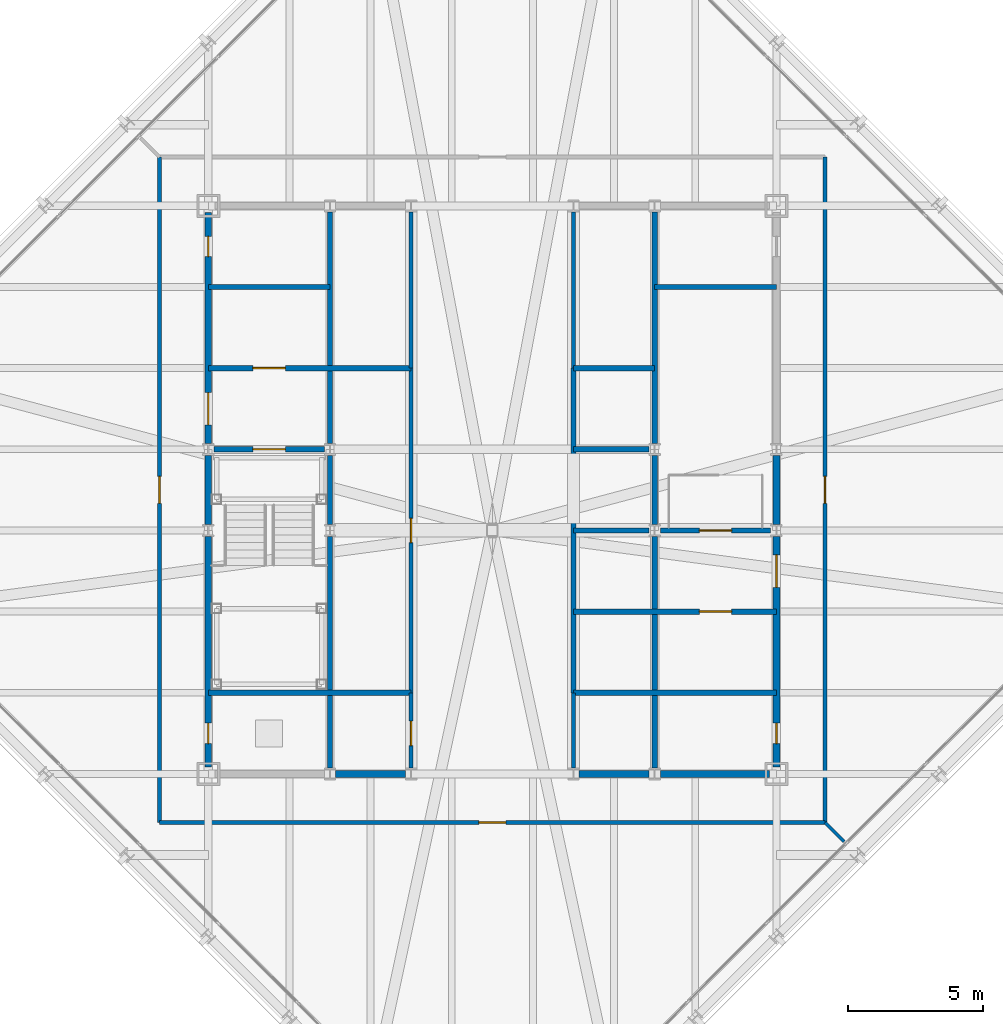
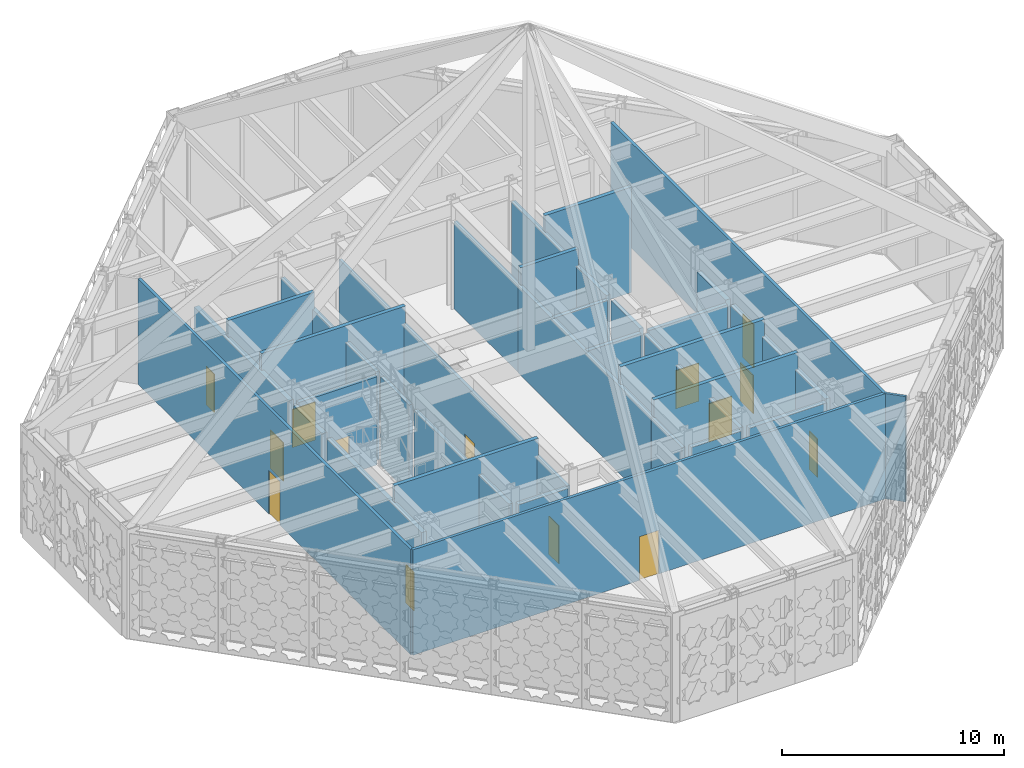
# One storey, part 14 of 30: 35 walls, 14 doors, 14 openings.
"""IFC4 building model written with IfcOpenShell, lengths in metres."""

from ifc_helpers import new_model, si_unit, direction, frame, frame_2d, origin, place, context, subcontext, project, spatial, rectangle, extrude, material, layer, layer_set, type_object, element, fill, save


model = new_model("IFC4")

# Units and contexts
model_context = context("Model", 3, precision=1e-05, world=origin(), true_north=direction((0.0, 1.0)))
body_context = subcontext(model_context, "Body", "Model", "MODEL_VIEW")
ifc_project = project(units=[si_unit("LENGTHUNIT", "METRE"), si_unit("AREAUNIT", "SQUARE_METRE"), si_unit("VOLUMEUNIT", "CUBIC_METRE"), si_unit("PLANEANGLEUNIT", "RADIAN"), si_unit("MASSUNIT", "GRAM", prefix="KILO")], contexts=[model_context])

# Site, building, storey
site_placement = place(None, origin())
site = spatial("IfcSite", under=ifc_project, at=site_placement, CompositionType="ELEMENT")
building_placement = place(site_placement, origin())
building = spatial("IfcBuilding", under=site, at=building_placement, Name="Chuquiago Exchange Tower", CompositionType="ELEMENT")
storey_placement = place(building_placement, frame((0.0, 0.0, 306.0)))
storey = spatial("IfcBuildingStorey", under=building, at=storey_placement, Name="L68", CompositionType="ELEMENT", Elevation=306.0)

# Wall, opening, door
ifc_material_1 = material(Name="Concrete masonry, fully grouted", Category="masonry")
ifc_layer_1 = layer(ifc_material_1, 0.25)
ifc_layer_set_1 = layer_set([ifc_layer_1], Name="W1 core wall 250")
wall_type_1 = type_object("IfcWallType", Name="W1 core wall 250", PredefinedType="SOLIDWALL", material=ifc_layer_set_1)
wall_1_placement = place(storey_placement, frame((12.0, 12.25, 0.0), z_axis=(0.0, 0.0, 1.0), x_axis=(0.0, 1.0, 0.0)))
wall_1 = element("IfcWall", 1, at=wall_1_placement, inside=storey, type_object=wall_type_1, Name="CW-L68-00-0", PredefinedType="SOLIDWALL", context=body_context, shape_type="SweptSolid", body=[
    extrude(rectangle(XDim=8.527587890625, YDim=0.25, at=frame_2d((4.263671875, 0.0))), origin(), (0.0, 0.0, 1.0), 4.872802734375),
])
opening_1_placement = place(wall_1_placement, frame((0.875, 0.0, 0.0)))
opening_1 = element("IfcOpeningElement", 2, at=opening_1_placement, cuts=wall_1, Name="Opening L68-007", PredefinedType="OPENING", context=body_context, shape_type="SweptSolid", body=[
    extrude(rectangle(XDim=0.75, YDim=2.10009765625, at=frame_2d((0.375, 1.050048828125))), frame((0.0, 0.135009765625, 0.0), z_axis=(0.0, -1.0, 0.0), x_axis=(1.0, 0.0, 0.0)), (0.0, 0.0, 1.0), 0.27001953125),
])
ifc_material_2 = material(Name="Steel door, painted", Category="steel")
door_type_1 = type_object("IfcDoorType", Name="D6 riser access door 750x2100", OperationType="SINGLE_SWING_LEFT", PredefinedType="DOOR", material=ifc_material_2)
door_1_placement = place(opening_1_placement, frame((0.75, 0.0, 0.0), z_axis=(0.0, 0.0, 1.0), x_axis=(-1.0, 0.0, 0.0)))
door_1 = element("IfcDoor", 3, at=door_1_placement, inside=storey, type_object=door_type_1, Name="Riser RW1 door", OperationType="SINGLE_SWING_RIGHT", OverallHeight=2.10009765625, OverallWidth=0.75, PredefinedType="DOOR", context=body_context, shape_type="SweptSolid", body=[
    extrude(rectangle(XDim=0.75, YDim=2.10009765625, at=frame_2d((0.375, 1.050048828125))), frame((0.0, 0.02490234375, 0.0), z_axis=(0.0, -1.0, 0.0), x_axis=(1.0, 0.0, 0.0)), (0.0, 0.0, 1.0), 0.050048828125),
])
fill(opening_1, door_1)

# Wall
wall_2_placement = place(storey_placement, frame((12.0, 21.222412109375, 0.0), z_axis=(0.0, 0.0, 1.0), x_axis=(0.0, 1.0, 0.0)))
element("IfcWall", 4, at=wall_2_placement, inside=storey, type_object=wall_type_1, Name="CW-L68-00-1", PredefinedType="SOLIDWALL", context=body_context, shape_type="SweptSolid", body=[
    extrude(rectangle(XDim=2.55517578125, YDim=0.25, at=frame_2d((1.277587890625, 0.0))), origin(), (0.0, 0.0, 1.0), 4.872802734375),
])

# Wall, openings, doors
wall_3_placement = place(storey_placement, frame((12.0, 24.222412109375, 0.0), z_axis=(0.0, 0.0, 1.0), x_axis=(0.0, 1.0, 0.0)))
wall_3 = element("IfcWall", 5, at=wall_3_placement, inside=storey, type_object=wall_type_1, Name="CW-L68-00-2", PredefinedType="SOLIDWALL", context=body_context, shape_type="SweptSolid", body=[
    extrude(rectangle(XDim=8.527587890625, YDim=0.25, at=frame_2d((4.263671875, 0.0))), origin(), (0.0, 0.0, 1.0), 4.872802734375),
])
opening_2_placement = place(wall_3_placement, frame((0.677734375, 0.0, 0.0)))
opening_2 = element("IfcOpeningElement", 6, at=opening_2_placement, cuts=wall_3, Name="Opening L68-002", PredefinedType="OPENING", context=body_context, shape_type="SweptSolid", body=[
    extrude(rectangle(XDim=1.199951171875, YDim=2.10009765625, at=frame_2d((0.60009765625, 1.050048828125))), frame((0.0, 0.135009765625, 0.0), z_axis=(0.0, -1.0, 0.0), x_axis=(1.0, 0.0, 0.0)), (0.0, 0.0, 1.0), 0.27001953125),
])
opening_3_placement = place(wall_3_placement, frame((6.902587890625, 0.0, 0.0)))
opening_3 = element("IfcOpeningElement", 7, at=opening_3_placement, cuts=wall_3, Name="Opening L68-008", PredefinedType="OPENING", context=body_context, shape_type="SweptSolid", body=[
    extrude(rectangle(XDim=0.75, YDim=2.10009765625, at=frame_2d((0.375, 1.050048828125))), frame((0.0, 0.135009765625, 0.0), z_axis=(0.0, -1.0, 0.0), x_axis=(1.0, 0.0, 0.0)), (0.0, 0.0, 1.0), 0.27001953125),
])
ifc_material_3 = material(Name="Steel door, painted", Category="steel")
door_type_2 = type_object("IfcDoorType", Name="D5 firefighting lobby door 1200x2100", OperationType="SINGLE_SWING_LEFT", PredefinedType="DOOR", material=ifc_material_3)
door_2_placement = place(opening_2_placement, frame((1.199951171875, 0.0, 0.0), z_axis=(0.0, 0.0, 1.0), x_axis=(-1.0, 0.0, 0.0)))
door_2 = element("IfcDoor", 8, at=door_2_placement, inside=storey, type_object=door_type_2, Name="Firefighting lobby 1 door", OperationType="SINGLE_SWING_RIGHT", OverallHeight=2.10009765625, OverallWidth=1.199951171875, PredefinedType="DOOR", context=body_context, shape_type="SweptSolid", body=[
    extrude(rectangle(XDim=1.199951171875, YDim=2.10009765625, at=frame_2d((0.60009765625, 1.050048828125))), frame((0.0, 0.02490234375, 0.0), z_axis=(0.0, -1.0, 0.0), x_axis=(1.0, 0.0, 0.0)), (0.0, 0.0, 1.0), 0.050048828125),
])
fill(opening_2, door_2)
door_3_placement = place(opening_3_placement, frame((0.75, 0.0, 0.0), z_axis=(0.0, 0.0, 1.0), x_axis=(-1.0, 0.0, 0.0)))
door_3 = element("IfcDoor", 9, at=door_3_placement, inside=storey, type_object=door_type_1, Name="Riser RW2 door", OperationType="SINGLE_SWING_LEFT", OverallHeight=2.10009765625, OverallWidth=0.75, PredefinedType="DOOR", context=body_context, shape_type="SweptSolid", body=[
    extrude(rectangle(XDim=0.75, YDim=2.10009765625, at=frame_2d((0.375, 1.050048828125))), frame((0.0, 0.02490234375, 0.0), z_axis=(0.0, -1.0, 0.0), x_axis=(1.0, 0.0, 0.0)), (0.0, 0.0, 1.0), 0.050048828125),
])
fill(opening_3, door_3)

# Walls
for number, where, z_axis, x_axis, name in (
    (10, (16.708251953125, 12.0, 0.0), (0.0, 0.0, 1.0), (1.0, 0.0, 0.0), "CW-L68-01-1"),
    (11, (25.708251953125, 12.0, 0.0), (0.0, 0.0, 1.0), (1.0, 0.0, 0.0), "CW-L68-02-0"),
):
    element("IfcWall", number, at=place(storey_placement, frame(where, z_axis=z_axis, x_axis=x_axis)), inside=storey, type_object=wall_type_1, Name=name, PredefinedType="SOLIDWALL", context=body_context, shape_type="SweptSolid", body=[
        extrude(rectangle(XDim=2.58349609375, YDim=0.25, at=frame_2d((1.291748046875, 0.0))), origin(), (0.0, 0.0, 1.0), 4.94140625),
    ])
wall_4_placement = place(storey_placement, frame((28.708251953125, 12.0, 0.0), z_axis=(0.0, 0.0, 1.0), x_axis=(1.0, 0.0, 0.0)))
element("IfcWall", 12, at=wall_4_placement, inside=storey, type_object=wall_type_1, Name="CW-L68-02-1", PredefinedType="SOLIDWALL", context=body_context, shape_type="SweptSolid", body=[
    extrude(rectangle(XDim=4.041748046875, YDim=0.25, at=frame_2d((2.02099609375, 0.0))), origin(), (0.0, 0.0, 1.0), 4.94140625),
])

# Wall, openings, doors
wall_5_placement = place(storey_placement, frame((33.0, 12.25, 0.0), z_axis=(0.0, 0.0, 1.0), x_axis=(0.0, 1.0, 0.0)))
wall_5 = element("IfcWall", 13, at=wall_5_placement, inside=storey, type_object=wall_type_1, Name="CW-L68-25-0", PredefinedType="SOLIDWALL", context=body_context, shape_type="SweptSolid", body=[
    extrude(rectangle(XDim=8.527587890625, YDim=0.25, at=frame_2d((4.263671875, 0.0))), origin(), (0.0, 0.0, 1.0), 4.872802734375),
])
opening_4_placement = place(wall_5_placement, frame((6.64990234375, 0.0, 0.0)))
opening_4 = element("IfcOpeningElement", 14, at=opening_4_placement, cuts=wall_5, Name="Opening L68-004", PredefinedType="OPENING", context=body_context, shape_type="SweptSolid", body=[
    extrude(rectangle(XDim=1.199951171875, YDim=2.10009765625, at=frame_2d((0.60009765625, 1.050048828125))), frame((0.0, 0.135009765625, 0.0), z_axis=(0.0, -1.0, 0.0), x_axis=(1.0, 0.0, 0.0)), (0.0, 0.0, 1.0), 0.27001953125),
])
opening_5_placement = place(wall_5_placement, frame((0.875, 0.0, 0.0)))
opening_5 = element("IfcOpeningElement", 15, at=opening_5_placement, cuts=wall_5, Name="Opening L68-009", PredefinedType="OPENING", context=body_context, shape_type="SweptSolid", body=[
    extrude(rectangle(XDim=0.75, YDim=2.10009765625, at=frame_2d((0.375, 1.050048828125))), frame((0.0, 0.135009765625, 0.0), z_axis=(0.0, -1.0, 0.0), x_axis=(1.0, 0.0, 0.0)), (0.0, 0.0, 1.0), 0.27001953125),
])
door_4_placement = place(opening_4_placement, origin())
door_4 = element("IfcDoor", 16, at=door_4_placement, inside=storey, type_object=door_type_2, Name="Firefighting lobby 2 door", OperationType="SINGLE_SWING_RIGHT", OverallHeight=2.10009765625, OverallWidth=1.199951171875, PredefinedType="DOOR", context=body_context, shape_type="SweptSolid", body=[
    extrude(rectangle(XDim=1.199951171875, YDim=2.10009765625, at=frame_2d((0.60009765625, 1.050048828125))), frame((0.0, 0.02490234375, 0.0), z_axis=(0.0, -1.0, 0.0), x_axis=(1.0, 0.0, 0.0)), (0.0, 0.0, 1.0), 0.050048828125),
])
fill(opening_4, door_4)
door_5_placement = place(opening_5_placement, origin())
door_5 = element("IfcDoor", 17, at=door_5_placement, inside=storey, type_object=door_type_1, Name="Riser RE1 door", OperationType="SINGLE_SWING_LEFT", OverallHeight=2.10009765625, OverallWidth=0.75, PredefinedType="DOOR", context=body_context, shape_type="SweptSolid", body=[
    extrude(rectangle(XDim=0.75, YDim=2.10009765625, at=frame_2d((0.375, 1.050048828125))), frame((0.0, 0.02490234375, 0.0), z_axis=(0.0, -1.0, 0.0), x_axis=(1.0, 0.0, 0.0)), (0.0, 0.0, 1.0), 0.050048828125),
])
fill(opening_5, door_5)

# Wall
wall_6_placement = place(storey_placement, frame((33.0, 21.222412109375, 0.0), z_axis=(0.0, 0.0, 1.0), x_axis=(0.0, 1.0, 0.0)))
element("IfcWall", 18, at=wall_6_placement, inside=storey, type_object=wall_type_1, Name="CW-L68-25-1", PredefinedType="SOLIDWALL", context=body_context, shape_type="SweptSolid", body=[
    extrude(rectangle(XDim=2.55517578125, YDim=0.25, at=frame_2d((1.277587890625, 0.0))), origin(), (0.0, 0.0, 1.0), 4.872802734375),
])

# Wall, opening, door
ifc_material_4 = material(Name="Gypsum board on steel studs, acoustic insulation", Category="steel")
ifc_layer_2 = layer(ifc_material_4, 0.14990234375)
ifc_layer_set_2 = layer_set([ifc_layer_2], Name="W11 corridor wall 150")
wall_type_2 = type_object("IfcWallType", Name="W11 corridor wall 150", PredefinedType="PARTITIONING", material=ifc_layer_set_2)
wall_7_placement = place(storey_placement, frame((10.199951171875, 10.199951171875, 0.0), z_axis=(0.0, 0.0, 1.0), x_axis=(1.0, 0.0, 0.0)))
wall_7 = element("IfcWall", 19, at=wall_7_placement, inside=storey, type_object=wall_type_2, Name="PW-L68-PCS", PredefinedType="PARTITIONING", context=body_context, shape_type="SweptSolid", body=[
    extrude(rectangle(XDim=24.60009765625, YDim=0.14990234375, at=frame_2d((12.300048828125, 0.0))), origin(), (0.0, 0.0, 1.0), 5.800048828125),
])
opening_6_placement = place(wall_7_placement, frame((11.800048828125, 0.0, 0.0)))
opening_6 = element("IfcOpeningElement", 20, at=opening_6_placement, cuts=wall_7, Name="Opening L68-013", PredefinedType="OPENING", context=body_context, shape_type="SweptSolid", body=[
    extrude(rectangle(XDim=1.0, YDim=2.39990234375, at=frame_2d((0.5, 1.199951171875))), frame((0.0, 0.0849609375, 0.0), z_axis=(0.0, -1.0, 0.0), x_axis=(1.0, 0.0, 0.0)), (0.0, 0.0, 1.0), 0.169921875),
])
ifc_material_5 = material(Name="Timber door, laminate faced", Category="wood")
door_type_3 = type_object("IfcDoorType", Name="D9 room door 1000x2400", OperationType="SINGLE_SWING_LEFT", PredefinedType="DOOR", material=ifc_material_5)
door_6_placement = place(opening_6_placement, frame((1.0, 0.0, 0.0), z_axis=(0.0, 0.0, 1.0), x_axis=(-1.0, 0.0, 0.0)))
door_6 = element("IfcDoor", 21, at=door_6_placement, inside=storey, type_object=door_type_3, Name="Plant corridor south door", OperationType="SINGLE_SWING_LEFT", OverallHeight=2.39990234375, OverallWidth=1.0, PredefinedType="DOOR", context=body_context, shape_type="SweptSolid", body=[
    extrude(rectangle(XDim=1.0, YDim=2.39990234375, at=frame_2d((0.5, 1.199951171875))), frame((0.0, 0.02490234375, 0.0), z_axis=(0.0, -1.0, 0.0), x_axis=(1.0, 0.0, 0.0)), (0.0, 0.0, 1.0), 0.050048828125),
])
fill(opening_6, door_6)

wall_8_placement = place(storey_placement, frame((10.199951171875, 10.199951171875, 0.0), z_axis=(0.0, 0.0, 1.0), x_axis=(0.0, 1.0, 0.0)))
wall_8 = element("IfcWall", 22, at=wall_8_placement, inside=storey, type_object=wall_type_2, Name="PW-L68-PCW", PredefinedType="PARTITIONING", context=body_context, shape_type="SweptSolid", body=[
    extrude(rectangle(XDim=24.60009765625, YDim=0.14990234375, at=frame_2d((12.300048828125, 0.0))), origin(), (0.0, 0.0, 1.0), 5.800048828125),
])
opening_7_placement = place(wall_8_placement, frame((11.800048828125, 0.0, 0.0)))
opening_7 = element("IfcOpeningElement", 23, at=opening_7_placement, cuts=wall_8, Name="Opening L68-015", PredefinedType="OPENING", context=body_context, shape_type="SweptSolid", body=[
    extrude(rectangle(XDim=1.0, YDim=2.39990234375, at=frame_2d((0.5, 1.199951171875))), frame((0.0, 0.0849609375, 0.0), z_axis=(0.0, -1.0, 0.0), x_axis=(1.0, 0.0, 0.0)), (0.0, 0.0, 1.0), 0.169921875),
])
door_7_placement = place(opening_7_placement, origin())
door_7 = element("IfcDoor", 24, at=door_7_placement, inside=storey, type_object=door_type_3, Name="Plant corridor west door", OperationType="SINGLE_SWING_RIGHT", OverallHeight=2.39990234375, OverallWidth=1.0, PredefinedType="DOOR", context=body_context, shape_type="SweptSolid", body=[
    extrude(rectangle(XDim=1.0, YDim=2.39990234375, at=frame_2d((0.5, 1.199951171875))), frame((0.0, 0.02490234375, 0.0), z_axis=(0.0, -1.0, 0.0), x_axis=(1.0, 0.0, 0.0)), (0.0, 0.0, 1.0), 0.050048828125),
])
fill(opening_7, door_7)

wall_9_placement = place(storey_placement, frame((34.800048828125, 10.199951171875, 0.0), z_axis=(0.0, 0.0, 1.0), x_axis=(0.0, 1.0, 0.0)))
wall_9 = element("IfcWall", 25, at=wall_9_placement, inside=storey, type_object=wall_type_2, Name="PW-L68-PCE", PredefinedType="PARTITIONING", context=body_context, shape_type="SweptSolid", body=[
    extrude(rectangle(XDim=24.60009765625, YDim=0.14990234375, at=frame_2d((12.300048828125, 0.0))), origin(), (0.0, 0.0, 1.0), 5.800048828125),
])
opening_8_placement = place(wall_9_placement, frame((11.800048828125, 0.0, 0.0)))
opening_8 = element("IfcOpeningElement", 26, at=opening_8_placement, cuts=wall_9, Name="Opening L68-016", PredefinedType="OPENING", context=body_context, shape_type="SweptSolid", body=[
    extrude(rectangle(XDim=1.0, YDim=2.39990234375, at=frame_2d((0.5, 1.199951171875))), frame((0.0, 0.0849609375, 0.0), z_axis=(0.0, -1.0, 0.0), x_axis=(1.0, 0.0, 0.0)), (0.0, 0.0, 1.0), 0.169921875),
])
door_8_placement = place(opening_8_placement, frame((1.0, 0.0, 0.0), z_axis=(0.0, 0.0, 1.0), x_axis=(-1.0, 0.0, 0.0)))
door_8 = element("IfcDoor", 27, at=door_8_placement, inside=storey, type_object=door_type_3, Name="Plant corridor east door", OperationType="SINGLE_SWING_LEFT", OverallHeight=2.39990234375, OverallWidth=1.0, PredefinedType="DOOR", context=body_context, shape_type="SweptSolid", body=[
    extrude(rectangle(XDim=1.0, YDim=2.39990234375, at=frame_2d((0.5, 1.199951171875))), frame((0.0, 0.02490234375, 0.0), z_axis=(0.0, -1.0, 0.0), x_axis=(1.0, 0.0, 0.0)), (0.0, 0.0, 1.0), 0.050048828125),
])
fill(opening_8, door_8)

# Walls
ifc_material_6 = material(Name="Concrete masonry, fully grouted", Category="masonry")
ifc_layer_3 = layer(ifc_material_6, 0.199951171875)
ifc_layer_set_3 = layer_set([ifc_layer_3], Name="W2 shaft wall 200")
wall_type_3 = type_object("IfcWallType", Name="W2 shaft wall 200", PredefinedType="SOLIDWALL", material=ifc_layer_set_3)
for number, where, z_axis, x_axis, name in (
    (28, (12.0, 15.0, 0.0), (0.0, 0.0, 1.0), (1.0, 0.0, 0.0), "CW-L68-03-0"),
    (29, (25.5, 15.0, 0.0), (0.0, 0.0, 1.0), (1.0, 0.0, 0.0), "CW-L68-04-0"),
):
    element("IfcWall", number, at=place(storey_placement, frame(where, z_axis=z_axis, x_axis=x_axis)), inside=storey, type_object=wall_type_3, Name=name, PredefinedType="SOLIDWALL", context=body_context, shape_type="SweptSolid", body=[
        extrude(rectangle(XDim=7.5, YDim=0.199951171875, at=frame_2d((3.75, 0.0))), origin(), (0.0, 0.0, 1.0), 5.800048828125),
    ])

# Wall, opening, door
wall_10_placement = place(storey_placement, frame((12.208251953125, 24.0, 0.0), z_axis=(0.0, 0.0, 1.0), x_axis=(1.0, 0.0, 0.0)))
wall_10 = element("IfcWall", 30, at=wall_10_placement, inside=storey, type_object=wall_type_3, Name="CW-L68-05-0", PredefinedType="SOLIDWALL", context=body_context, shape_type="SweptSolid", body=[
    extrude(rectangle(XDim=4.08349609375, YDim=0.199951171875, at=frame_2d((2.041748046875, 0.0))), origin(), (0.0, 0.0, 1.0), 4.85009765625),
])
opening_9_placement = place(wall_10_placement, frame((1.441650390625, 0.0, 0.0)))
opening_9 = element("IfcOpeningElement", 31, at=opening_9_placement, cuts=wall_10, Name="Opening L68-001", PredefinedType="OPENING", context=body_context, shape_type="SweptSolid", body=[
    extrude(rectangle(XDim=1.199951171875, YDim=2.10009765625, at=frame_2d((0.60009765625, 1.050048828125))), frame((0.0, 0.10986328125, 0.0), z_axis=(0.0, -1.0, 0.0), x_axis=(1.0, 0.0, 0.0)), (0.0, 0.0, 1.0), 0.219970703125),
])
ifc_material_7 = material(Name="Steel door, painted", Category="steel")
door_type_4 = type_object("IfcDoorType", Name="D4 stair door 1200x2100", OperationType="SINGLE_SWING_LEFT", PredefinedType="DOOR", material=ifc_material_7)
door_9_placement = place(opening_9_placement, frame((1.199951171875, 0.0, 0.0), z_axis=(0.0, 0.0, 1.0), x_axis=(-1.0, 0.0, 0.0)))
door_9 = element("IfcDoor", 32, at=door_9_placement, inside=storey, type_object=door_type_4, Name="Stair ST1 door", OperationType="SINGLE_SWING_LEFT", OverallHeight=2.10009765625, OverallWidth=1.199951171875, PredefinedType="DOOR", context=body_context, shape_type="SweptSolid", body=[
    extrude(rectangle(XDim=1.199951171875, YDim=2.10009765625, at=frame_2d((0.60009765625, 1.050048828125))), frame((0.0, 0.02490234375, 0.0), z_axis=(0.0, -1.0, 0.0), x_axis=(1.0, 0.0, 0.0)), (0.0, 0.0, 1.0), 0.050048828125),
])
fill(opening_9, door_9)

# Wall
wall_11_placement = place(storey_placement, frame((25.5, 24.0, 0.0), z_axis=(0.0, 0.0, 1.0), x_axis=(1.0, 0.0, 0.0)))
element("IfcWall", 33, at=wall_11_placement, inside=storey, type_object=wall_type_3, Name="CW-L68-06-0", PredefinedType="SOLIDWALL", context=body_context, shape_type="SweptSolid", body=[
    extrude(rectangle(XDim=2.791748046875, YDim=0.199951171875, at=frame_2d((1.39599609375, 0.0))), origin(), (0.0, 0.0, 1.0), 4.85009765625),
])

# Wall, opening, door
wall_12_placement = place(storey_placement, frame((12.0, 27.0, 0.0), z_axis=(0.0, 0.0, 1.0), x_axis=(1.0, 0.0, 0.0)))
wall_12 = element("IfcWall", 34, at=wall_12_placement, inside=storey, type_object=wall_type_3, Name="CW-L68-07-0", PredefinedType="SOLIDWALL", context=body_context, shape_type="SweptSolid", body=[
    extrude(rectangle(XDim=7.5, YDim=0.199951171875, at=frame_2d((3.75, 0.0))), origin(), (0.0, 0.0, 1.0), 5.800048828125),
])
opening_10_placement = place(wall_12_placement, frame((1.64990234375, 0.0, 0.0)))
opening_10 = element("IfcOpeningElement", 35, at=opening_10_placement, cuts=wall_12, Name="Opening L68-005", PredefinedType="OPENING", context=body_context, shape_type="SweptSolid", body=[
    extrude(rectangle(XDim=1.199951171875, YDim=2.10009765625, at=frame_2d((0.60009765625, 1.050048828125))), frame((0.0, 0.10986328125, 0.0), z_axis=(0.0, -1.0, 0.0), x_axis=(1.0, 0.0, 0.0)), (0.0, 0.0, 1.0), 0.219970703125),
])
ifc_material_8 = material(Name="Stainless steel lift landing door", Category="steel")
door_type_5 = type_object("IfcDoorType", Name="LD2 firefighting lift landing door 1200x2100", OperationType="DOUBLE_DOOR_SLIDING", PredefinedType="DOOR", material=ifc_material_8)
door_10_placement = place(opening_10_placement, origin())
door_10 = element("IfcDoor", 36, at=door_10_placement, inside=storey, type_object=door_type_5, Name="Firefighting lift FL1 landing door", OperationType="DOUBLE_DOOR_SLIDING", OverallHeight=2.10009765625, OverallWidth=1.199951171875, PredefinedType="DOOR", context=body_context, shape_type="SweptSolid", body=[
    extrude(rectangle(XDim=1.199951171875, YDim=2.10009765625, at=frame_2d((0.60009765625, 1.050048828125))), frame((0.0, 0.02490234375, 0.0), z_axis=(0.0, -1.0, 0.0), x_axis=(1.0, 0.0, 0.0)), (0.0, 0.0, 1.0), 0.050048828125),
])
fill(opening_10, door_10)

# Walls
wall_13_placement = place(storey_placement, frame((25.5, 27.0, 0.0), z_axis=(0.0, 0.0, 1.0), x_axis=(1.0, 0.0, 0.0)))
element("IfcWall", 37, at=wall_13_placement, inside=storey, type_object=wall_type_3, Name="CW-L68-08-0", PredefinedType="SOLIDWALL", context=body_context, shape_type="SweptSolid", body=[
    extrude(rectangle(XDim=3.0, YDim=0.199951171875, at=frame_2d((1.5, 0.0))), origin(), (0.0, 0.0, 1.0), 5.800048828125),
])
for number, where, z_axis, x_axis, name in (
    (38, (12.0, 30.0, 0.0), (0.0, 0.0, 1.0), (1.0, 0.0, 0.0), "CW-L68-09-0"),
    (39, (28.5, 30.0, 0.0), (0.0, 0.0, 1.0), (1.0, 0.0, 0.0), "CW-L68-10-0"),
):
    element("IfcWall", number, at=place(storey_placement, frame(where, z_axis=z_axis, x_axis=x_axis)), inside=storey, type_object=wall_type_3, Name=name, PredefinedType="SOLIDWALL", context=body_context, shape_type="SweptSolid", body=[
        extrude(rectangle(XDim=4.5, YDim=0.199951171875, at=frame_2d((2.25, 0.0))), origin(), (0.0, 0.0, 1.0), 5.800048828125),
    ])
wall_14_placement = place(storey_placement, frame((16.5, 12.222412109375, 0.0), z_axis=(0.0, 0.0, 1.0), x_axis=(0.0, 1.0, 0.0)))
element("IfcWall", 40, at=wall_14_placement, inside=storey, type_object=wall_type_3, Name="CW-L68-13-0", PredefinedType="SOLIDWALL", context=body_context, shape_type="SweptSolid", body=[
    extrude(rectangle(XDim=8.55517578125, YDim=0.199951171875, at=frame_2d((4.277587890625, 0.0))), origin(), (0.0, 0.0, 1.0), 4.872802734375),
])
wall_15_placement = place(storey_placement, frame((16.5, 21.222412109375, 0.0), z_axis=(0.0, 0.0, 1.0), x_axis=(0.0, 1.0, 0.0)))
element("IfcWall", 41, at=wall_15_placement, inside=storey, type_object=wall_type_3, Name="CW-L68-13-1", PredefinedType="SOLIDWALL", context=body_context, shape_type="SweptSolid", body=[
    extrude(rectangle(XDim=2.55517578125, YDim=0.199951171875, at=frame_2d((1.277587890625, 0.0))), origin(), (0.0, 0.0, 1.0), 4.872802734375),
])
wall_16_placement = place(storey_placement, frame((16.5, 24.222412109375, 0.0), z_axis=(0.0, 0.0, 1.0), x_axis=(0.0, 1.0, 0.0)))
element("IfcWall", 42, at=wall_16_placement, inside=storey, type_object=wall_type_3, Name="CW-L68-13-2", PredefinedType="SOLIDWALL", context=body_context, shape_type="SweptSolid", body=[
    extrude(rectangle(XDim=8.55517578125, YDim=0.199951171875, at=frame_2d((4.277587890625, 0.0))), origin(), (0.0, 0.0, 1.0), 4.872802734375),
])

# Wall, opening, door
wall_17_placement = place(storey_placement, frame((25.5, 18.0, 0.0), z_axis=(0.0, 0.0, 1.0), x_axis=(1.0, 0.0, 0.0)))
wall_17 = element("IfcWall", 43, at=wall_17_placement, inside=storey, type_object=wall_type_3, Name="CW-L68-15-0", PredefinedType="SOLIDWALL", context=body_context, shape_type="SweptSolid", body=[
    extrude(rectangle(XDim=7.5, YDim=0.199951171875, at=frame_2d((3.75, 0.0))), origin(), (0.0, 0.0, 1.0), 5.800048828125),
])
opening_11_placement = place(wall_17_placement, frame((4.64990234375, 0.0, 0.0)))
opening_11 = element("IfcOpeningElement", 44, at=opening_11_placement, cuts=wall_17, Name="Opening L68-006", PredefinedType="OPENING", context=body_context, shape_type="SweptSolid", body=[
    extrude(rectangle(XDim=1.199951171875, YDim=2.10009765625, at=frame_2d((0.60009765625, 1.050048828125))), frame((0.0, 0.10986328125, 0.0), z_axis=(0.0, -1.0, 0.0), x_axis=(1.0, 0.0, 0.0)), (0.0, 0.0, 1.0), 0.219970703125),
])
door_11_placement = place(opening_11_placement, origin())
door_11 = element("IfcDoor", 45, at=door_11_placement, inside=storey, type_object=door_type_5, Name="Firefighting lift FL2 landing door", OperationType="DOUBLE_DOOR_SLIDING", OverallHeight=2.10009765625, OverallWidth=1.199951171875, PredefinedType="DOOR", context=body_context, shape_type="SweptSolid", body=[
    extrude(rectangle(XDim=1.199951171875, YDim=2.10009765625, at=frame_2d((0.60009765625, 1.050048828125))), frame((0.0, 0.02490234375, 0.0), z_axis=(0.0, -1.0, 0.0), x_axis=(1.0, 0.0, 0.0)), (0.0, 0.0, 1.0), 0.050048828125),
])
fill(opening_11, door_11)

# Wall
wall_18_placement = place(storey_placement, frame((25.5, 21.0, 0.0), z_axis=(0.0, 0.0, 1.0), x_axis=(1.0, 0.0, 0.0)))
element("IfcWall", 46, at=wall_18_placement, inside=storey, type_object=wall_type_3, Name="CW-L68-17-0", PredefinedType="SOLIDWALL", context=body_context, shape_type="SweptSolid", body=[
    extrude(rectangle(XDim=2.791748046875, YDim=0.199951171875, at=frame_2d((1.39599609375, 0.0))), origin(), (0.0, 0.0, 1.0), 4.85009765625),
])

# Wall, opening, door
wall_19_placement = place(storey_placement, frame((28.708251953125, 21.0, 0.0), z_axis=(0.0, 0.0, 1.0), x_axis=(1.0, 0.0, 0.0)))
wall_19 = element("IfcWall", 47, at=wall_19_placement, inside=storey, type_object=wall_type_3, Name="CW-L68-17-1", PredefinedType="SOLIDWALL", context=body_context, shape_type="SweptSolid", body=[
    extrude(rectangle(XDim=4.08349609375, YDim=0.199951171875, at=frame_2d((2.041748046875, 0.0))), origin(), (0.0, 0.0, 1.0), 4.85009765625),
])
opening_12_placement = place(wall_19_placement, frame((1.441650390625, 0.0, 0.0)))
opening_12 = element("IfcOpeningElement", 48, at=opening_12_placement, cuts=wall_19, Name="Opening L68-003", PredefinedType="OPENING", context=body_context, shape_type="SweptSolid", body=[
    extrude(rectangle(XDim=1.199951171875, YDim=2.10009765625, at=frame_2d((0.60009765625, 1.050048828125))), frame((0.0, 0.10986328125, 0.0), z_axis=(0.0, -1.0, 0.0), x_axis=(1.0, 0.0, 0.0)), (0.0, 0.0, 1.0), 0.219970703125),
])
door_12_placement = place(opening_12_placement, origin())
door_12 = element("IfcDoor", 49, at=door_12_placement, inside=storey, type_object=door_type_4, Name="Stair ST2 door", OperationType="SINGLE_SWING_RIGHT", OverallHeight=2.10009765625, OverallWidth=1.199951171875, PredefinedType="DOOR", context=body_context, shape_type="SweptSolid", body=[
    extrude(rectangle(XDim=1.199951171875, YDim=2.10009765625, at=frame_2d((0.60009765625, 1.050048828125))), frame((0.0, 0.02490234375, 0.0), z_axis=(0.0, -1.0, 0.0), x_axis=(1.0, 0.0, 0.0)), (0.0, 0.0, 1.0), 0.050048828125),
])
fill(opening_12, door_12)

# Walls
wall_20_placement = place(storey_placement, frame((25.5, 15.0, 0.0), z_axis=(0.0, 0.0, 1.0), x_axis=(0.0, 1.0, 0.0)))
element("IfcWall", 50, at=wall_20_placement, inside=storey, type_object=wall_type_3, Name="CW-L68-22-0", PredefinedType="SOLIDWALL", context=body_context, shape_type="SweptSolid", body=[
    extrude(rectangle(XDim=12.0, YDim=0.199951171875, at=frame_2d((6.0, 0.0))), origin(), (0.0, 0.0, 1.0), 4.82470703125),
])
wall_21_placement = place(storey_placement, frame((28.5, 12.222412109375, 0.0), z_axis=(0.0, 0.0, 1.0), x_axis=(0.0, 1.0, 0.0)))
element("IfcWall", 51, at=wall_21_placement, inside=storey, type_object=wall_type_3, Name="CW-L68-24-0", PredefinedType="SOLIDWALL", context=body_context, shape_type="SweptSolid", body=[
    extrude(rectangle(XDim=8.55517578125, YDim=0.199951171875, at=frame_2d((4.277587890625, 0.0))), origin(), (0.0, 0.0, 1.0), 4.872802734375),
])
wall_22_placement = place(storey_placement, frame((28.5, 21.222412109375, 0.0), z_axis=(0.0, 0.0, 1.0), x_axis=(0.0, 1.0, 0.0)))
element("IfcWall", 52, at=wall_22_placement, inside=storey, type_object=wall_type_3, Name="CW-L68-24-1", PredefinedType="SOLIDWALL", context=body_context, shape_type="SweptSolid", body=[
    extrude(rectangle(XDim=2.55517578125, YDim=0.199951171875, at=frame_2d((1.277587890625, 0.0))), origin(), (0.0, 0.0, 1.0), 4.872802734375),
])
wall_23_placement = place(storey_placement, frame((28.5, 24.222412109375, 0.0), z_axis=(0.0, 0.0, 1.0), x_axis=(0.0, 1.0, 0.0)))
element("IfcWall", 53, at=wall_23_placement, inside=storey, type_object=wall_type_3, Name="CW-L68-24-2", PredefinedType="SOLIDWALL", context=body_context, shape_type="SweptSolid", body=[
    extrude(rectangle(XDim=8.55517578125, YDim=0.199951171875, at=frame_2d((4.277587890625, 0.0))), origin(), (0.0, 0.0, 1.0), 4.872802734375),
])

# Wall, opening, door
ifc_material_9 = material(Name="Gypsum board on steel studs", Category="steel")
ifc_layer_4 = layer(ifc_material_9, 0.14990234375)
ifc_layer_set_4 = layer_set([ifc_layer_4], Name="W3 core partition 150")
wall_type_4 = type_object("IfcWallType", Name="W3 core partition 150", PredefinedType="PARTITIONING", material=ifc_layer_set_4)
wall_24_placement = place(storey_placement, frame((19.5, 12.222412109375, 0.0), z_axis=(0.0, 0.0, 1.0), x_axis=(0.0, 1.0, 0.0)))
wall_24 = element("IfcWall", 54, at=wall_24_placement, inside=storey, type_object=wall_type_4, Name="CW-L68-18-0", PredefinedType="PARTITIONING", context=body_context, shape_type="SweptSolid", body=[
    extrude(rectangle(XDim=2.777587890625, YDim=0.14990234375, at=frame_2d((1.388671875, 0.0))), origin(), (0.0, 0.0, 1.0), 4.82470703125),
])
opening_13_placement = place(wall_24_placement, frame((0.82763671875, 0.0, 0.0)))
opening_13 = element("IfcOpeningElement", 55, at=opening_13_placement, cuts=wall_24, Name="Opening L68-012", PredefinedType="OPENING", context=body_context, shape_type="SweptSolid", body=[
    extrude(rectangle(XDim=0.89990234375, YDim=2.10009765625, at=frame_2d((0.449951171875, 1.050048828125))), frame((0.0, 0.0849609375, 0.0), z_axis=(0.0, -1.0, 0.0), x_axis=(1.0, 0.0, 0.0)), (0.0, 0.0, 1.0), 0.169921875),
])
ifc_material_10 = material(Name="Timber door, laminate faced", Category="wood")
door_type_6 = type_object("IfcDoorType", Name="D7 toilet door 900x2100", OperationType="SINGLE_SWING_LEFT", PredefinedType="DOOR", material=ifc_material_10)
door_13_placement = place(opening_13_placement, frame((0.89990234375, 0.0, 0.0), z_axis=(0.0, 0.0, 1.0), x_axis=(-1.0, 0.0, 0.0)))
door_13 = element("IfcDoor", 56, at=door_13_placement, inside=storey, type_object=door_type_6, Name="Cleaner door", OperationType="SINGLE_SWING_RIGHT", OverallHeight=2.10009765625, OverallWidth=0.89990234375, PredefinedType="DOOR", context=body_context, shape_type="SweptSolid", body=[
    extrude(rectangle(XDim=0.89990234375, YDim=2.10009765625, at=frame_2d((0.449951171875, 1.050048828125))), frame((0.0, 0.02490234375, 0.0), z_axis=(0.0, -1.0, 0.0), x_axis=(1.0, 0.0, 0.0)), (0.0, 0.0, 1.0), 0.050048828125),
])
fill(opening_13, door_13)

wall_25_placement = place(storey_placement, frame((19.5, 15.0, 0.0), z_axis=(0.0, 0.0, 1.0), x_axis=(0.0, 1.0, 0.0)))
wall_25 = element("IfcWall", 57, at=wall_25_placement, inside=storey, type_object=wall_type_4, Name="CW-L68-19-0", PredefinedType="PARTITIONING", context=body_context, shape_type="SweptSolid", body=[
    extrude(rectangle(XDim=12.0, YDim=0.14990234375, at=frame_2d((6.0, 0.0))), origin(), (0.0, 0.0, 1.0), 4.82470703125),
])
opening_14_placement = place(wall_25_placement, frame((5.550048828125, 0.0, 0.0)))
opening_14 = element("IfcOpeningElement", 58, at=opening_14_placement, cuts=wall_25, Name="Opening L68-011", PredefinedType="OPENING", context=body_context, shape_type="SweptSolid", body=[
    extrude(rectangle(XDim=0.89990234375, YDim=2.10009765625, at=frame_2d((0.449951171875, 1.050048828125))), frame((0.0, 0.0849609375, 0.0), z_axis=(0.0, -1.0, 0.0), x_axis=(1.0, 0.0, 0.0)), (0.0, 0.0, 1.0), 0.169921875),
])
ifc_material_11 = material(Name="Timber door, laminate faced", Category="wood")
door_type_7 = type_object("IfcDoorType", Name="D16 core room door 900x2100", OperationType="SINGLE_SWING_LEFT", PredefinedType="DOOR", material=ifc_material_11)
door_14_placement = place(opening_14_placement, origin())
door_14 = element("IfcDoor", 59, at=door_14_placement, inside=storey, type_object=door_type_7, Name="Lift machine room door", OperationType="SINGLE_SWING_LEFT", OverallHeight=2.10009765625, OverallWidth=0.89990234375, PredefinedType="DOOR", context=body_context, shape_type="SweptSolid", body=[
    extrude(rectangle(XDim=0.89990234375, YDim=2.10009765625, at=frame_2d((0.449951171875, 1.050048828125))), frame((0.0, 0.02490234375, 0.0), z_axis=(0.0, -1.0, 0.0), x_axis=(1.0, 0.0, 0.0)), (0.0, 0.0, 1.0), 0.050048828125),
])
fill(opening_14, door_14)

# Walls
wall_26_placement = place(storey_placement, frame((19.5, 27.0, 0.0), z_axis=(0.0, 0.0, 1.0), x_axis=(0.0, 1.0, 0.0)))
element("IfcWall", 60, at=wall_26_placement, inside=storey, type_object=wall_type_4, Name="CW-L68-20-0", PredefinedType="PARTITIONING", context=body_context, shape_type="SweptSolid", body=[
    extrude(rectangle(XDim=5.777587890625, YDim=0.14990234375, at=frame_2d((2.888671875, 0.0))), origin(), (0.0, 0.0, 1.0), 4.82470703125),
])
wall_27_placement = place(storey_placement, frame((25.5, 12.222412109375, 0.0), z_axis=(0.0, 0.0, 1.0), x_axis=(0.0, 1.0, 0.0)))
element("IfcWall", 61, at=wall_27_placement, inside=storey, type_object=wall_type_4, Name="CW-L68-21-0", PredefinedType="PARTITIONING", context=body_context, shape_type="SweptSolid", body=[
    extrude(rectangle(XDim=2.777587890625, YDim=0.14990234375, at=frame_2d((1.388671875, 0.0))), origin(), (0.0, 0.0, 1.0), 4.82470703125),
])
wall_28_placement = place(storey_placement, frame((25.5, 27.0, 0.0), z_axis=(0.0, 0.0, 1.0), x_axis=(0.0, 1.0, 0.0)))
element("IfcWall", 62, at=wall_28_placement, inside=storey, type_object=wall_type_4, Name="CW-L68-23-0", PredefinedType="PARTITIONING", context=body_context, shape_type="SweptSolid", body=[
    extrude(rectangle(XDim=5.777587890625, YDim=0.14990234375, at=frame_2d((2.888671875, 0.0))), origin(), (0.0, 0.0, 1.0), 4.82470703125),
])
ifc_material_12 = material(Name="Gypsum board on steel studs", Category="steel")
ifc_layer_5 = layer(ifc_material_12, 0.1201171875)
ifc_layer_set_5 = layer_set([ifc_layer_5], Name="W4 partition 120")
wall_type_5 = type_object("IfcWallType", Name="W4 partition 120", PredefinedType="PARTITIONING", material=ifc_layer_set_5)
wall_29_placement = place(storey_placement, frame((34.800048828125, 10.199951171875, 0.0), z_axis=(0.0, 0.0, 1.0), x_axis=(0.707106781187, -0.707106781187, 0.0)))
element("IfcWall", 63, at=wall_29_placement, inside=storey, type_object=wall_type_5, Name="PW-L68-PDSE0", PredefinedType="PARTITIONING", context=body_context, shape_type="SweptSolid", body=[
    extrude(rectangle(XDim=0.996826171875, YDim=0.1201171875, at=frame_2d((0.49853515625, 0.0))), origin(), (0.0, 0.0, 1.0), 5.800048828125),
])

save(model, "model.ifc")
